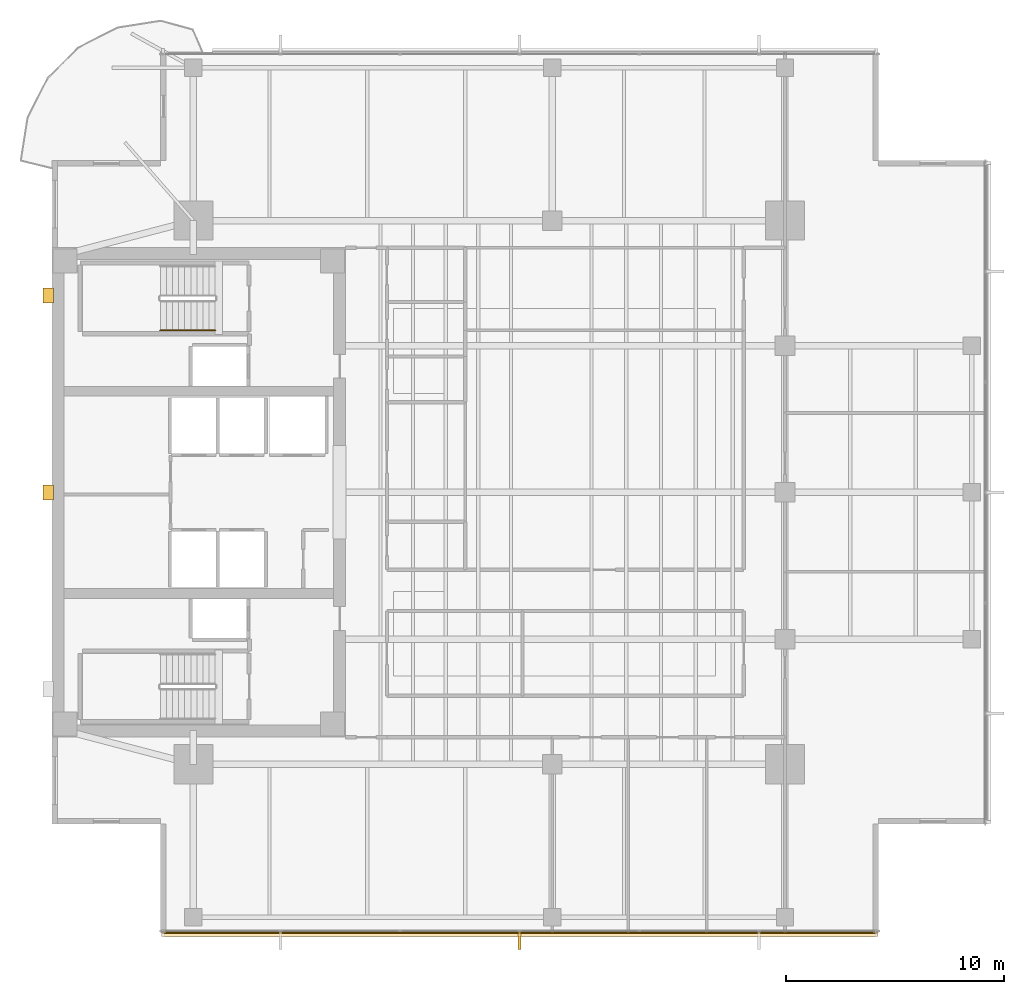
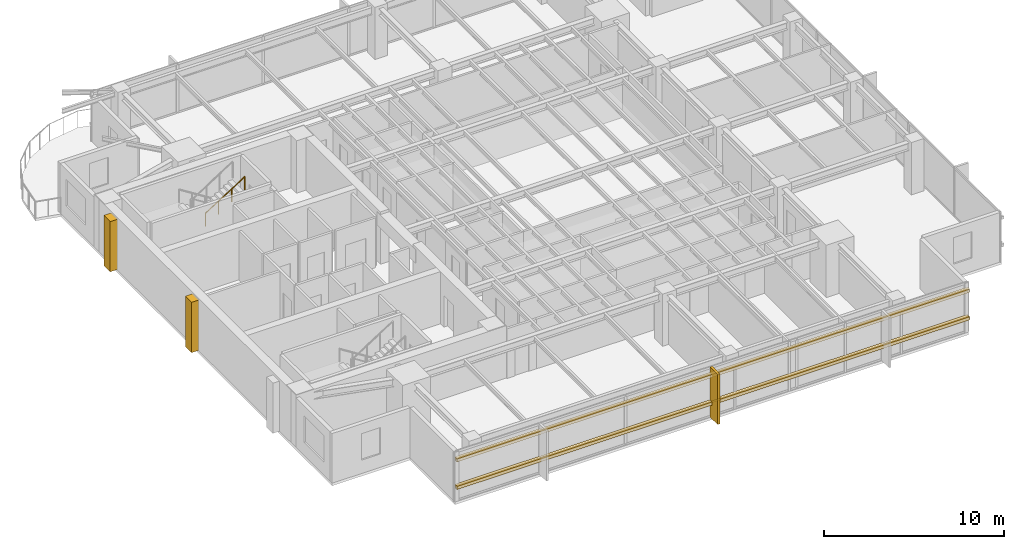
# One storey, part 12 of 14: 5 coverings, 2 shading devices, 1 railing.
"""IFC4 building model written with IfcOpenShell, lengths in metres."""

from ifc_helpers import new_model, si_unit, direction, frame, origin, origin_2d, place, context, subcontext, project, spatial, polyline, rectangle, circle, outline, extrude, material, layer, layer_set, material_profile, profile_set, type_object, element, save


model = new_model("IFC4")

# Units and contexts
model_context = context("Model", 3, precision=1e-05, world=origin(), true_north=direction((0.0, 1.0)))
body_context = subcontext(model_context, "Body", "Model", "MODEL_VIEW")
ifc_project = project(units=[si_unit("LENGTHUNIT", "METRE"), si_unit("AREAUNIT", "SQUARE_METRE"), si_unit("VOLUMEUNIT", "CUBIC_METRE"), si_unit("PLANEANGLEUNIT", "RADIAN"), si_unit("MASSUNIT", "GRAM", prefix="KILO")], contexts=[model_context])

# Site, building, storey
site_placement = place(None, origin())
site = spatial("IfcSite", under=ifc_project, at=site_placement, CompositionType="ELEMENT")
building_placement = place(site_placement, origin())
building = spatial("IfcBuilding", under=site, at=building_placement, Name="Kinhvarn Gate Tower", CompositionType="ELEMENT")
storey_placement = place(building_placement, frame((0.0, 0.0, 230.64990234375)))
storey = spatial("IfcBuildingStorey", under=building, at=storey_placement, Name="L61", CompositionType="ELEMENT", Elevation=230.64990234375)

# Coverings
ifc_material_1 = material(Name="Fired architectural terracotta", Category="masonry")
ifc_layer_1 = layer(ifc_material_1, 0.239990234375)
ifc_layer_set_1 = layer_set([ifc_layer_1], Name="Fired architectural terracotta")
covering_type_1 = type_object("IfcCoveringType", Name="COV-BAG-220", PredefinedType="CLADDING", material=ifc_layer_set_1)
for number, where, name in (
    (1, (0.0, 0.0, 0.940185546875), "Terracotta Horizontal Sunscreen Band TBG-220 (L61)"),
    (2, (0.0, 0.0, 2.81005859375), "Terracotta Horizontal Sunscreen Band TBG-220 (L61)"),
):
    element("IfcCovering", number, at=place(storey_placement, frame(where)), inside=storey, type_object=covering_type_1, Name=name, PredefinedType="CLADDING", context=body_context, shape_type="SweptSolid", body=[
        extrude(outline(polyline([(9.5400390625, 5.070068359375), (42.4599609375, 5.070068359375), (42.4599609375, 4.830078125), (9.5400390625, 4.830078125), (9.5400390625, 5.070068359375)])), origin(), (0.0, 0.0, 1.0), 0.219970703125),
    ])
ifc_layer_2 = layer(ifc_material_1, 0.139892578125)
ifc_layer_set_2 = layer_set([ifc_layer_2], Name="Fired architectural terracotta")
covering_type_2 = type_object("IfcCoveringType", Name="COV-FIN-850", PredefinedType="CLADDING", material=ifc_layer_set_2)
covering_1_placement = place(storey_placement, frame((0.0, 0.0, -0.02001953125)))
element("IfcCovering", 3, at=covering_1_placement, inside=storey, type_object=covering_type_2, Name="Vertical Terracotta Expressive Fin TFN-850 (L61)", PredefinedType="CLADDING", context=body_context, shape_type="SweptSolid", body=[
    extrude(outline(polyline([(25.929931640625, 5.080078125), (26.070068359375, 5.080078125), (26.070068359375, 4.22998046875), (25.929931640625, 4.22998046875), (25.929931640625, 5.080078125)])), origin(), (0.0, 0.0, 1.0), 3.41015625),
])
ifc_material_2 = material(Name="Precast white architectural concrete C40/50", Category="concrete")
ifc_layer_3 = layer(ifc_material_2, 0.47998046875)
ifc_layer_set_3 = layer_set([ifc_layer_3], Name="Precast white architectural concrete C40/50")
covering_type_3 = type_object("IfcCoveringType", Name="COV-RIB-450", PredefinedType="CLADDING", material=ifc_layer_set_3)
covering_2_placement = place(storey_placement, frame((0.0, 0.0, -0.02001953125)))
element("IfcCovering", 4, at=covering_2_placement, inside=storey, type_object=covering_type_3, Name="West Core Sculptural Concrete Relief Rib CRB-450 (L61)", PredefinedType="CLADDING", context=body_context, shape_type="SweptSolid", body=[
    extrude(outline(polyline([(4.080078125, 24.89990234375), (4.56005859375, 24.89990234375), (4.56005859375, 25.60009765625), (4.080078125, 25.60009765625), (4.080078125, 24.89990234375)])), origin(), (0.0, 0.0, 1.0), 3.41015625),
])
covering_3_placement = place(storey_placement, frame((0.0, 0.0, -0.02001953125)))
element("IfcCovering", 5, at=covering_3_placement, inside=storey, type_object=covering_type_3, Name="West Core Sculptural Concrete Relief Rib CRB-450 (L61)", PredefinedType="CLADDING", context=body_context, shape_type="SweptSolid", body=[
    extrude(outline(polyline([(4.080078125, 33.949951171875), (4.56005859375, 33.949951171875), (4.56005859375, 34.64990234375), (4.080078125, 34.64990234375), (4.080078125, 33.949951171875)])), origin(), (0.0, 0.0, 1.0), 3.41015625),
])

# Railing
ifc_material_3 = material(Name="Steel S355", Category="steel")
railing_type = type_object("IfcRailingType", Name="RL-ST-HND", PredefinedType="HANDRAIL", material=ifc_material_3)
railing_placement = place(storey_placement, frame((9.47998046875, 32.699951171875, 1.95263671875)))
element("IfcRailing", 6, at=railing_placement, inside=storey, type_object=railing_type, Name="L61 ST2 stair handrail 2", PredefinedType="HANDRAIL", context=body_context, shape_type="SweptSolid", body=[
    extrude(circle(Radius=0.02392578125, at=origin_2d()), frame((0.0, 0.0, 0.8759765625), z_axis=(0.84460694969, 0.0, 0.535386869969), x_axis=(0.0, 1.0, 0.0)), (0.0, 0.0, 1.0), 2.983642578125),
    extrude(circle(Radius=0.02099609375, at=origin_2d()), origin(), (0.0, 0.0, 1.0), 0.851806640625),
    extrude(circle(Radius=0.02099609375, at=origin_2d()), frame((0.840087890625, 0.0, 0.532470703125)), (0.0, 0.0, 1.0), 0.851806640625),
    extrude(circle(Radius=0.02099609375, at=origin_2d()), frame((1.679931640625, 0.0, 1.06494140625)), (0.0, 0.0, 1.0), 0.851806640625),
    extrude(circle(Radius=0.02099609375, at=origin_2d()), frame((2.52001953125, 0.0, 1.597412109375)), (0.0, 0.0, 1.0), 0.851806640625),
])

# Shading devices
ifc_material_profile = material_profile(ifc_material_1, rectangle(XDim=0.050048828125, YDim=0.1201171875, at=origin_2d()), Name="TC 50x120")
ifc_profile_set = profile_set([ifc_material_profile], Name="Fired architectural terracotta")
shading_device_type = type_object("IfcShadingDeviceType", Name="SHD-BAG-140", PredefinedType="USERDEFINED", material=ifc_profile_set)
for number, where, z_axis, x_axis, name in (
    (7, (9.5400390625, 5.0, 1.050048828125), (1.0, 0.0, 0.0), (0.0, 1.0, 0.0), "Upper Tower Terracotta Baguette Screen Rod 50x120 mm (L61)"),
    (8, (9.5400390625, 5.0, 2.920166015625), (1.0, 0.0, 0.0), (0.0, 1.0, 0.0), "Upper Tower Terracotta Baguette Screen Rod 50x120 mm (L61)"),
):
    element("IfcShadingDevice", number, at=place(storey_placement, frame(where, z_axis=z_axis, x_axis=x_axis)), inside=storey, type_object=shading_device_type, Name=name, ObjectType="BAGUETTE", PredefinedType="USERDEFINED", context=body_context, shape_type="SweptSolid", body=[
        extrude(rectangle(XDim=0.050048828125, YDim=0.1201171875, at=origin_2d()), origin(), (0.0, 0.0, 1.0), 32.919921875),
    ])

save(model, "model.ifc")
